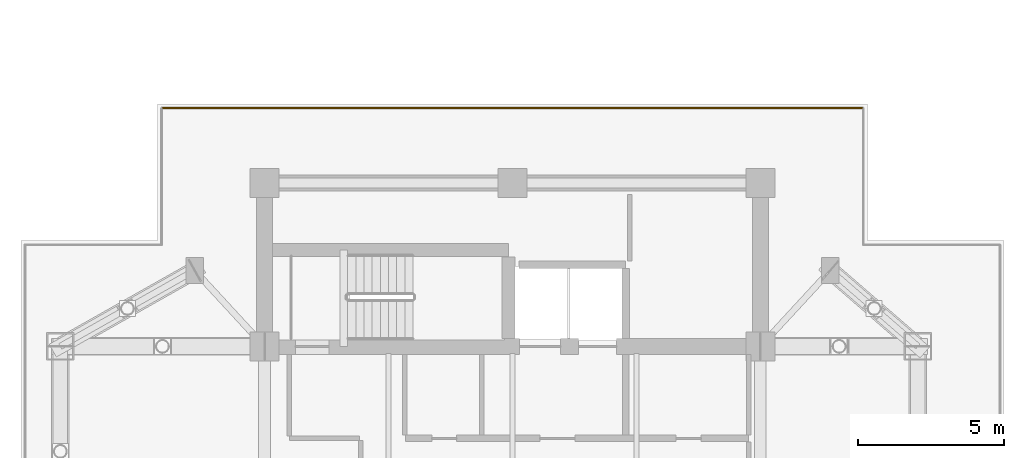
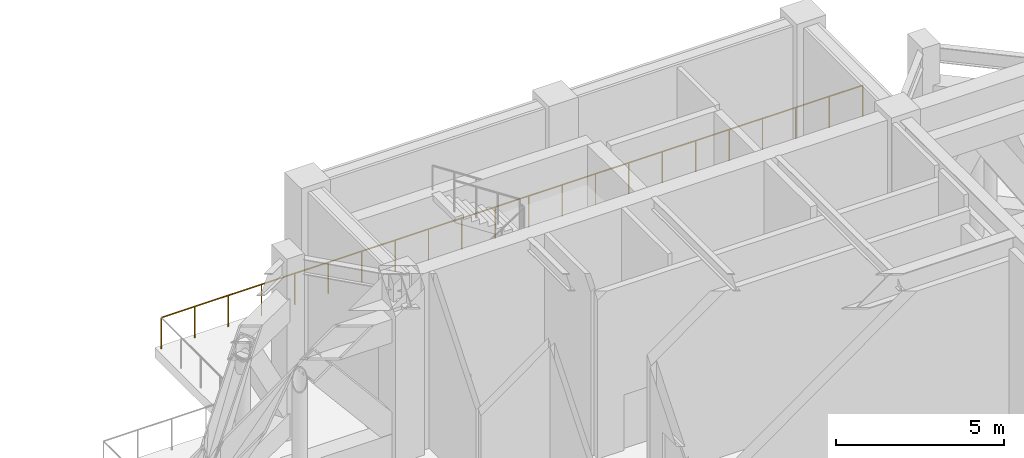
# One storey, part 18 of 18: 1 railing.
"""IFC4 building model written with IfcOpenShell, lengths in metres."""

from ifc_helpers import new_model, si_unit, direction, frame, origin, origin_2d, place, context, subcontext, project, spatial, circle, extrude, material, type_object, element, save


model = new_model("IFC4")

# Units and contexts
model_context = context("Model", 3, precision=1e-05, world=origin(), true_north=direction((0.0, 1.0)))
body_context = subcontext(model_context, "Body", "Model", "MODEL_VIEW")
ifc_project = project(units=[si_unit("LENGTHUNIT", "METRE"), si_unit("AREAUNIT", "SQUARE_METRE"), si_unit("VOLUMEUNIT", "CUBIC_METRE"), si_unit("PLANEANGLEUNIT", "RADIAN"), si_unit("MASSUNIT", "GRAM", prefix="KILO")], contexts=[model_context])

# Site, building, storey
site_placement = place(None, origin())
site = spatial("IfcSite", under=ifc_project, at=site_placement, CompositionType="ELEMENT")
building_placement = place(site_placement, origin())
building = spatial("IfcBuilding", under=site, at=building_placement, Name="Mirazonda Arch Towers", CompositionType="ELEMENT")
storey_placement = place(building_placement, frame((0.0, 0.0, 147.800048828125)))
storey = spatial("IfcBuildingStorey", under=building, at=storey_placement, Name="L42", CompositionType="ELEMENT", Elevation=147.800048828125)

# Railing
ifc_material = material(Name="Architectural Brushed Steel S355", Category="steel")
railing_type = type_object("IfcRailingType", Name="GUARD-EXT-1150", PredefinedType="GUARDRAIL", material=ifc_material)
railing_placement = place(storey_placement, frame((88.52734375, 43.37158203125, 0.0)))
element("IfcRailing", 1, at=railing_placement, inside=storey, type_object=railing_type, Name="L42 T2 Open Wind-Portal Perimeter Guard 07", PredefinedType="GUARDRAIL", context=body_context, shape_type="SweptSolid", body=[
    extrude(circle(Radius=0.02392578125, at=origin_2d()), frame((0.0, 0.0, 1.1259765625), z_axis=(-1.0, 0.0, 0.0), x_axis=(0.0, -1.0, 0.0)), (0.0, 0.0, 1.0), 24.0546875),
    extrude(circle(Radius=0.02099609375, at=origin_2d()), origin(), (0.0, 0.0, 1.0), 1.101806640625),
    extrude(circle(Radius=0.02099609375, at=origin_2d()), frame((-1.1455078125, 0.0, 0.0)), (0.0, 0.0, 1.0), 1.101806640625),
    extrude(circle(Radius=0.02099609375, at=origin_2d()), frame((-2.291015625, 0.0, 0.0)), (0.0, 0.0, 1.0), 1.101806640625),
    extrude(circle(Radius=0.02099609375, at=origin_2d()), frame((-3.436279296875, 0.0, 0.0)), (0.0, 0.0, 1.0), 1.101806640625),
    extrude(circle(Radius=0.02099609375, at=origin_2d()), frame((-4.581787109375, 0.0, 0.0)), (0.0, 0.0, 1.0), 1.101806640625),
    extrude(circle(Radius=0.02099609375, at=origin_2d()), frame((-5.727294921875, 0.0, 0.0)), (0.0, 0.0, 1.0), 1.101806640625),
    extrude(circle(Radius=0.02099609375, at=origin_2d()), frame((-6.872802734375, 0.0, 0.0)), (0.0, 0.0, 1.0), 1.101806640625),
    extrude(circle(Radius=0.02099609375, at=origin_2d()), frame((-8.018310546875, 0.0, 0.0)), (0.0, 0.0, 1.0), 1.101806640625),
    extrude(circle(Radius=0.02099609375, at=origin_2d()), frame((-9.16357421875, 0.0, 0.0)), (0.0, 0.0, 1.0), 1.101806640625),
    extrude(circle(Radius=0.02099609375, at=origin_2d()), frame((-10.30908203125, 0.0, 0.0)), (0.0, 0.0, 1.0), 1.101806640625),
    extrude(circle(Radius=0.02099609375, at=origin_2d()), frame((-11.45458984375, 0.0, 0.0)), (0.0, 0.0, 1.0), 1.101806640625),
    extrude(circle(Radius=0.02099609375, at=origin_2d()), frame((-12.60009765625, 0.0, 0.0)), (0.0, 0.0, 1.0), 1.101806640625),
    extrude(circle(Radius=0.02099609375, at=origin_2d()), frame((-13.74560546875, 0.0, 0.0)), (0.0, 0.0, 1.0), 1.101806640625),
    extrude(circle(Radius=0.02099609375, at=origin_2d()), frame((-14.89111328125, 0.0, 0.0)), (0.0, 0.0, 1.0), 1.101806640625),
    extrude(circle(Radius=0.02099609375, at=origin_2d()), frame((-16.036376953125, 0.0, 0.0)), (0.0, 0.0, 1.0), 1.101806640625),
    extrude(circle(Radius=0.02099609375, at=origin_2d()), frame((-17.181884765625, 0.0, 0.0)), (0.0, 0.0, 1.0), 1.101806640625),
    extrude(circle(Radius=0.02099609375, at=origin_2d()), frame((-18.327392578125, 0.0, 0.0)), (0.0, 0.0, 1.0), 1.101806640625),
    extrude(circle(Radius=0.02099609375, at=origin_2d()), frame((-19.472900390625, 0.0, 0.0)), (0.0, 0.0, 1.0), 1.101806640625),
    extrude(circle(Radius=0.02099609375, at=origin_2d()), frame((-20.618408203125, 0.0, 0.0)), (0.0, 0.0, 1.0), 1.101806640625),
    extrude(circle(Radius=0.02099609375, at=origin_2d()), frame((-21.763671875, 0.0, 0.0)), (0.0, 0.0, 1.0), 1.101806640625),
    extrude(circle(Radius=0.02099609375, at=origin_2d()), frame((-22.9091796875, 0.0, 0.0)), (0.0, 0.0, 1.0), 1.101806640625),
    extrude(circle(Radius=0.02099609375, at=origin_2d()), frame((-24.0546875, 0.0, 0.0)), (0.0, 0.0, 1.0), 1.101806640625),
])

save(model, "model.ifc")
